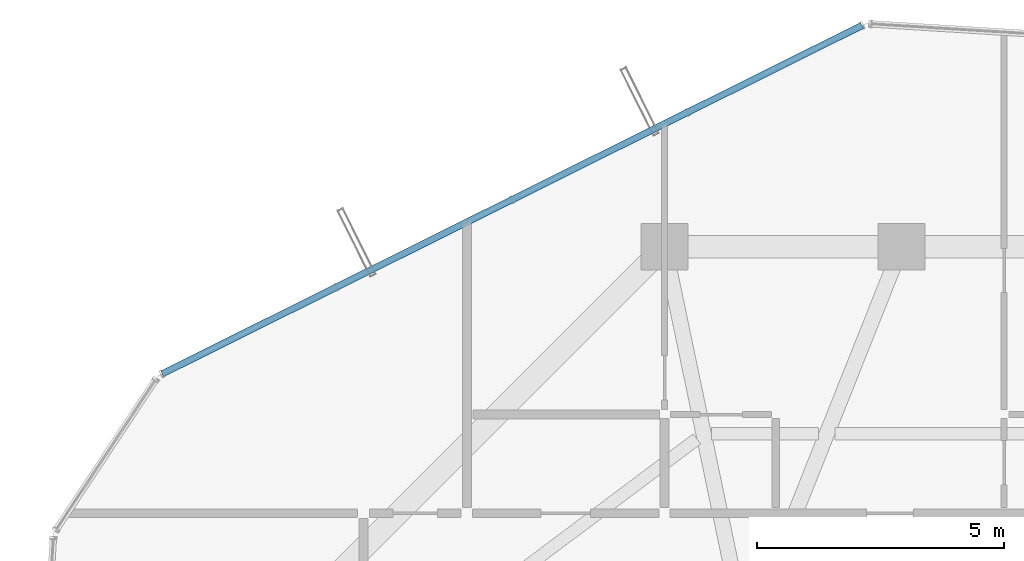
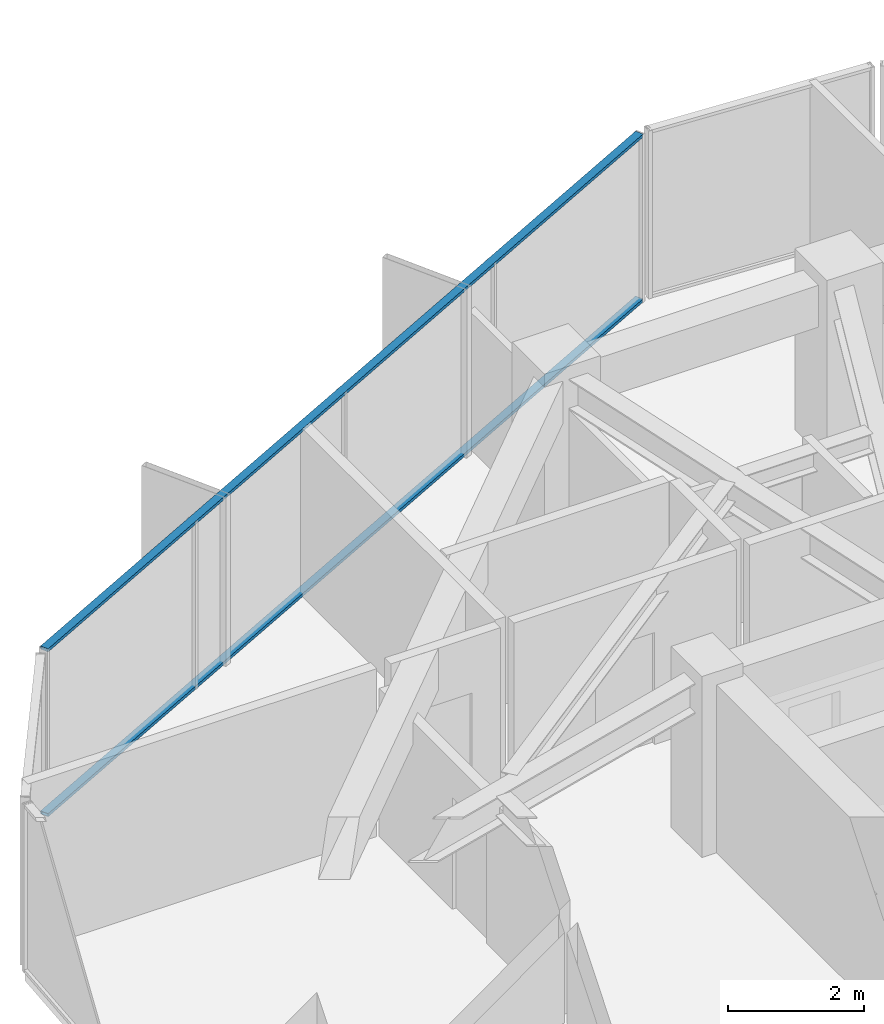
# One storey, part 19 of 29: 2 members, 1 element without a shape of its own.
"""IFC4 building model written with IfcOpenShell, lengths in metres."""

import ifcopenshell
import ifcopenshell.guid

model = None  # the IFC model being written
_history = None  # IfcOwnerHistory: only IFC2X3 demands one
_inside = {}  # id of a spatial element -> (the spatial element, [elements in it])
_under = {}  # id of a project, library or spatial element -> (it, [spatial elements below it])
_declared = {}  # id of a project -> (the project, [libraries it declares])
_typed = {}  # id of a type object -> (the type object, [elements of that type])
_made_of = {}  # id of a material, layer set ... -> (it, [elements and type objects made of it])


def new_model(schema):
    """Start an empty IFC model of exactly this schema.

    Asked for "IFC4X3", IfcOpenShell would pick the latest addendum, in which some entities
    have other attributes; the version numbers below select the first issue.
    IFC2X3 requires an IfcOwnerHistory on every rooted entity: one is made here for all.
    """
    global model, _history
    if schema == "IFC4X3":
        model = ifcopenshell.file(schema_version=(4, 3, 0, 0))
    else:
        model = ifcopenshell.file(schema=schema)
    _inside.clear()
    _under.clear()
    _declared.clear()
    _typed.clear()
    _made_of.clear()
    _history = None
    if model.schema == "IFC2X3":
        org = make("IfcOrganization", Name="unknown")
        user = make(
            "IfcPersonAndOrganization",
            ThePerson=make("IfcPerson", FamilyName="unknown"),
            TheOrganization=org,
        )
        app = make(
            "IfcApplication",
            ApplicationDeveloper=org,
            Version="unknown",
            ApplicationFullName="unknown",
            ApplicationIdentifier="unknown",
        )
        _history = make(
            "IfcOwnerHistory",
            OwningUser=user,
            OwningApplication=app,
            ChangeAction="ADDED",
            CreationDate=0,
        )
    return model


def make(cls, **values):
    """One entity of the class cls with the attributes given. An attribute that is None is left unset."""
    return model.create_entity(
        cls, **{name: value for name, value in values.items() if value is not None}
    )


def rooted(cls, **values):
    """An entity with a GlobalId (a new one), such as an element, a storey or a relation."""
    return make(cls, GlobalId=ifcopenshell.guid.new(), OwnerHistory=_history, **values)


def si_unit(unit_type, name, prefix=None):
    """IfcSIUnit, for example si_unit("LENGTHUNIT", "METRE", prefix="MILLI")."""
    return make("IfcSIUnit", UnitType=unit_type, Prefix=prefix, Name=name)


def assignment(units):
    """IfcUnitAssignment: the units of a project."""
    return None if units is None else make("IfcUnitAssignment", Units=units)


def point(xyz):
    """IfcCartesianPoint."""
    return None if xyz is None else make("IfcCartesianPoint", Coordinates=xyz)


def direction(xyz):
    """IfcDirection."""
    return None if xyz is None else make("IfcDirection", DirectionRatios=xyz)


def frame(location, z_axis=None, x_axis=None):
    """IfcAxis2Placement3D, a coordinate frame: its origin and axes. An axis left out is left unset."""
    return make(
        "IfcAxis2Placement3D",
        Location=point(location),
        Axis=direction(z_axis),
        RefDirection=direction(x_axis),
    )


def frame_2d(location, x_axis=None):
    """IfcAxis2Placement2D, a coordinate frame in the plane: its origin and x axis."""
    return make(
        "IfcAxis2Placement2D", Location=point(location), RefDirection=direction(x_axis)
    )


def origin():
    """The frame at (0, 0, 0) with its axes left unset."""
    return frame((0.0, 0.0, 0.0))


def origin_2d():
    """The frame at (0, 0) in the plane with its x axis left unset."""
    return frame_2d((0.0, 0.0))


def place(relative_to, where):
    """IfcLocalPlacement: puts the frame where relative to a parent placement (None: the world)."""
    return make(
        "IfcLocalPlacement", PlacementRelTo=relative_to, RelativePlacement=where
    )


def context(
    kind, dimensions, precision=None, world=None, true_north=None, identifier=None
):
    """IfcGeometricRepresentationContext, for example the 3D "Model" context."""
    return make(
        "IfcGeometricRepresentationContext",
        ContextIdentifier=identifier,
        ContextType=kind,
        CoordinateSpaceDimension=dimensions,
        Precision=precision,
        WorldCoordinateSystem=world,
        TrueNorth=true_north,
    )


def subcontext(parent, identifier, kind, view, scale=None):
    """IfcGeometricRepresentationSubContext, for example "Body" below "Model"."""
    return make(
        "IfcGeometricRepresentationSubContext",
        ContextIdentifier=identifier,
        ContextType=kind,
        ParentContext=parent,
        TargetScale=scale,
        TargetView=view,
    )


def project(units=None, contexts=None):
    """IfcProject with its units and contexts."""
    return rooted(
        "IfcProject",
        Name="project",
        RepresentationContexts=contexts,
        UnitsInContext=assignment(units),
    )


def spatial(cls, under=None, at=None, **own):
    """A site, building, storey or space (cls), placed at a placement, below another one or the project."""
    s = rooted(cls, ObjectPlacement=at, **own)
    if under is not None:
        _under.setdefault(under.id(), (under, []))[1].append(s)
    return s


def profile(cls, at=None, kind="AREA", **sizes):
    """A parametric profile (cls). Its sizes go by their IFC names, for example OverallWidth=200.0."""
    return make(cls, ProfileType=kind, Position=at, **sizes)


def hollow_rectangle(**sizes):
    """IfcRectangleHollowProfileDef."""
    return profile("IfcRectangleHollowProfileDef", **sizes)


def extrude(swept, where, along, depth):
    """IfcExtrudedAreaSolid: the profile swept, set in the frame where, extruded along a direction by depth."""
    return make(
        "IfcExtrudedAreaSolid",
        SweptArea=swept,
        Position=where,
        ExtrudedDirection=direction(along),
        Depth=depth,
    )


def shape(context_of_items, identifier, shape_type, items):
    """IfcShapeRepresentation: the items that make up one representation, for example the "Body"."""
    return make(
        "IfcShapeRepresentation",
        ContextOfItems=context_of_items,
        RepresentationIdentifier=identifier,
        RepresentationType=shape_type,
        Items=items,
    )


def source(mapping_origin, context_of_items, identifier, shape_type, items):
    """IfcRepresentationMap: a shape defined once, which mapped items show again and again."""
    return make(
        "IfcRepresentationMap",
        MappingOrigin=mapping_origin,
        MappedRepresentation=shape(context_of_items, identifier, shape_type, items),
    )


def transform(
    local_origin,
    x_axis=None,
    y_axis=None,
    z_axis=None,
    scale=None,
    scale2=None,
    scale3=None,
    uniform=True,
):
    """IfcCartesianTransformationOperator3D, or its non-uniform kind. x_axis, y_axis, z_axis: its Axis1, 2, 3."""
    if uniform:
        return make(
            "IfcCartesianTransformationOperator3D",
            Axis1=direction(x_axis),
            Axis2=direction(y_axis),
            LocalOrigin=point(local_origin),
            Scale=scale,
            Axis3=direction(z_axis),
        )
    return make(
        "IfcCartesianTransformationOperator3DnonUniform",
        Axis1=direction(x_axis),
        Axis2=direction(y_axis),
        LocalOrigin=point(local_origin),
        Scale=scale,
        Axis3=direction(z_axis),
        Scale2=scale2,
        Scale3=scale3,
    )


def mapped(mapping_source, mapping_target):
    """IfcMappedItem: shows the shape of a source again, moved by a transform."""
    return make(
        "IfcMappedItem", MappingSource=mapping_source, MappingTarget=mapping_target
    )


def material(Name=None, Category=None):
    """IfcMaterial."""
    return make("IfcMaterial", Name=Name, Category=Category)


def layer(
    of_material, thickness, ventilated=None, Name=None, Category=None, Priority=None
):
    """IfcMaterialLayer: one layer of a wall or slab, of a material (None: an air gap)."""
    return make(
        "IfcMaterialLayer",
        Material=of_material,
        LayerThickness=thickness,
        IsVentilated=ventilated,
        Name=Name,
        Category=Category,
        Priority=Priority,
    )


def layer_set(layers, Name=None):
    """IfcMaterialLayerSet."""
    return make("IfcMaterialLayerSet", MaterialLayers=layers, LayerSetName=Name)


def material_profile(
    of_material, cross_section, Name=None, Category=None, Priority=None
):
    """IfcMaterialProfile: a cross section and its material."""
    return make(
        "IfcMaterialProfile",
        Name=Name,
        Material=of_material,
        Profile=cross_section,
        Priority=Priority,
        Category=Category,
    )


def profile_set(profiles, Name=None, composite=None):
    """IfcMaterialProfileSet."""
    return make(
        "IfcMaterialProfileSet",
        Name=Name,
        MaterialProfiles=profiles,
        CompositeProfile=composite,
    )


def made_of(thing, what):
    """Note that an element or type object is made of a material, layer set ...; save() writes the relation."""
    if what is not None:
        _made_of.setdefault(what.id(), (what, []))[1].append(thing)
    return thing


def type_object(cls, material=None, **own):
    """A type object (cls), such as IfcWallType, which elements share."""
    return made_of(rooted(cls, **own), material)


def element(
    cls,
    number,
    at=None,
    inside=None,
    cuts=None,
    type_object=None,
    material=None,
    context=None,
    identifier="Body",
    shape_type=None,
    held_by="IfcProductDefinitionShape",
    body=None,
    shapes=None,
    **own,
):
    """One element of the class cls, such as IfcWall. Its Tag is "e" and its number.

    at: its placement. inside: the storey or other place that contains it. cuts: it is an
    opening in that element (IfcRelVoidsElement). A single representation is given by context,
    identifier, shape_type and body (its items); several are given by shapes. held_by: the class
    of the entity that holds the representations. save() writes the other relations.
    """
    e = rooted(cls, Tag="e%d" % number, ObjectPlacement=at, **own)
    if body is not None:
        shapes = [shape(context, identifier, shape_type, body)]
    if shapes is not None:
        e.Representation = make(held_by, Representations=shapes)
    if inside is not None:
        _inside.setdefault(inside.id(), (inside, []))[1].append(e)
    if cuts is not None:
        rooted(
            "IfcRelVoidsElement", RelatingBuildingElement=cuts, RelatedOpeningElement=e
        )
    if type_object is not None:
        _typed.setdefault(type_object.id(), (type_object, []))[1].append(e)
    return made_of(e, material)


def aggregate(whole, parts):
    """IfcRelAggregates: a whole, such as a stair, and the parts it consists of."""
    return rooted("IfcRelAggregates", RelatingObject=whole, RelatedObjects=parts)


def save(model, path):
    """Write the relations noted so far, then the file.

    IfcRelAggregates (storeys below a building ...), IfcRelContainedInSpatialStructure (elements
    in a storey), IfcRelDefinesByType, IfcRelAssociatesMaterial and IfcRelDeclares: one each for
    every whole, place, type object, material and project.
    """
    for whole, parts in _under.values():
        aggregate(whole, parts)
    for where, things in _inside.values():
        rooted(
            "IfcRelContainedInSpatialStructure",
            RelatedElements=things,
            RelatingStructure=where,
        )
    for kind, things in _typed.values():
        rooted("IfcRelDefinesByType", RelatedObjects=things, RelatingType=kind)
    for what, things in _made_of.values():
        rooted("IfcRelAssociatesMaterial", RelatedObjects=things, RelatingMaterial=what)
    for by, libraries in _declared.values():
        rooted("IfcRelDeclares", RelatingContext=by, RelatedDefinitions=libraries)
    model.write(path)


model = new_model("IFC4")

# Units and contexts
model_context = context("Model", 3, precision=1e-05, world=origin(), true_north=direction((0.0, 1.0)))
body_context = subcontext(model_context, "Body", "Model", "MODEL_VIEW")
ifc_project = project(units=[si_unit("LENGTHUNIT", "METRE"), si_unit("AREAUNIT", "SQUARE_METRE"), si_unit("VOLUMEUNIT", "CUBIC_METRE"), si_unit("PLANEANGLEUNIT", "RADIAN"), si_unit("MASSUNIT", "GRAM", prefix="KILO")], contexts=[model_context])

# Site, building, storey
site_placement = place(None, origin())
site = spatial("IfcSite", under=ifc_project, at=site_placement, CompositionType="ELEMENT")
building_placement = place(site_placement, origin())
building = spatial("IfcBuilding", under=site, at=building_placement, Name="Veraguas Prism Commons", CompositionType="ELEMENT")
storey_placement = place(building_placement, frame((0.0, 0.0, 218.89990234375)))
storey = spatial("IfcBuildingStorey", under=building, at=storey_placement, Name="L62", CompositionType="ELEMENT", Elevation=218.89990234375)

# Curtain wall, members
ifc_material = material(Name="Anodised aluminium EN AW-6063 T6", Category="aluminium")
ifc_layer = layer(ifc_material, 0.14990234375, Name="Unitised Flush Curtain Wall Zone 3", Category="aluminium")
ifc_layer_set = layer_set([ifc_layer], Name="Anodised aluminium EN AW-6063 T6")
curtain_wall_type = type_object("IfcCurtainWallType", Name="Unitised Flush Curtain Wall Zone 3", PredefinedType="NOTDEFINED", material=ifc_layer_set)
curtain_wall_placement = place(storey_placement, origin())
curtain_wall = element("IfcCurtainWall", 1, at=curtain_wall_placement, inside=storey, type_object=curtain_wall_type, Name="Tower Facade Curtain Wall L62-F2", PredefinedType="NOTDEFINED")
ifc_material_profile = material_profile(ifc_material, hollow_rectangle(XDim=0.054931640625, YDim=0.135009765625, WallThickness=0.0029296875, at=origin_2d()), Name="AL55X135X3")
ifc_profile_set = profile_set([ifc_material_profile], Name="Anodised aluminium EN AW-6063 T6")
member_type = type_object("IfcMemberType", Name="Curtain Wall Transom Standard AL 55x135x3", PredefinedType="USERDEFINED", material=ifc_profile_set)
shared_shape = source(origin(), body_context, "Body", "SweptSolid", [
    extrude(hollow_rectangle(XDim=0.054931640625, YDim=0.135009765625, WallThickness=0.0029296875, at=origin_2d()), origin(), (0.0, 0.0, 1.0), 15.842529296875),
])
member_1_placement = place(storey_placement, frame((23.2001953125, 43.384521484375, 0.027587890625), z_axis=(-0.895242456092, -0.445579336158, 0.0), x_axis=(0.0, 0.0, 1.0)))
member_1 = element("IfcMember", 2, at=member_1_placement, type_object=member_type, Name="CW-Z3 Transom 1", ObjectType="TRANSOM", PredefinedType="USERDEFINED", context=body_context, shape_type="MappedRepresentation", body=[
    mapped(shared_shape, transform((0.0, 0.0, 0.0), scale=1.0)),
])
member_2_placement = place(storey_placement, frame((23.2001953125, 43.384521484375, 2.987548828125), z_axis=(-0.895242456092, -0.445579336158, 0.0), x_axis=(0.0, 0.0, 1.0)))
member_2 = element("IfcMember", 3, at=member_2_placement, type_object=member_type, Name="CW-Z3 Transom 2", ObjectType="TRANSOM", PredefinedType="USERDEFINED", context=body_context, shape_type="MappedRepresentation", body=[
    mapped(shared_shape, transform((0.0, 0.0, 0.0), scale=1.0)),
])
aggregate(curtain_wall, [member_1, member_2])

save(model, "model.ifc")
